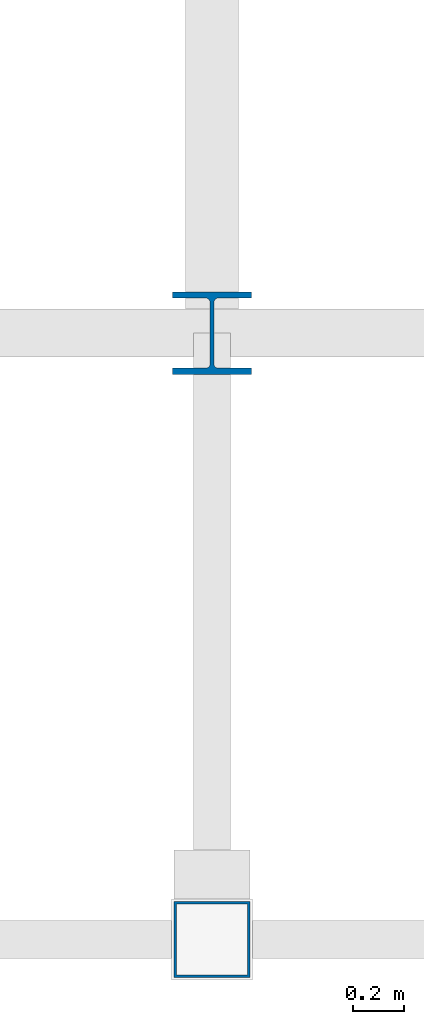
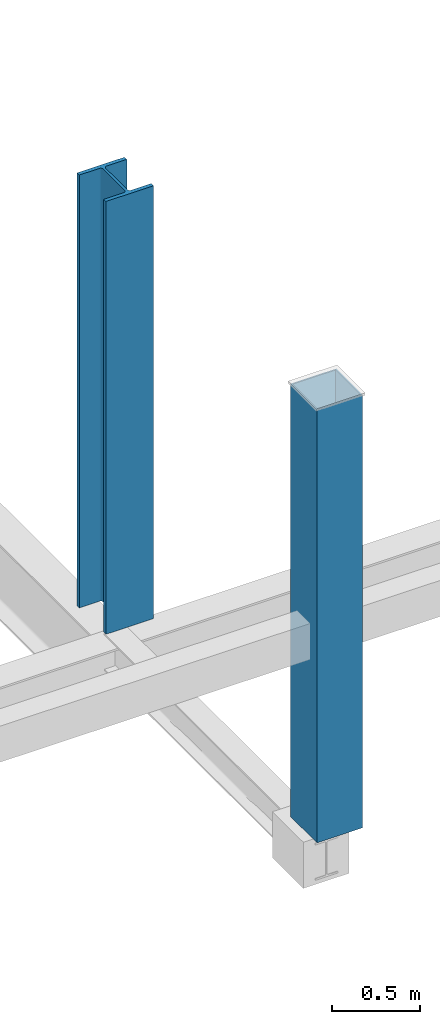
# One storey, part 2 of 16: 2 columns.
"""IFC4 building model written with IfcOpenShell, lengths in metres."""

from ifc_helpers import new_model, si_unit, direction, frame, origin, origin_2d, place, context, subcontext, project, spatial, hollow_rectangle, i_section, extrude, material, material_profile, profile_set, type_object, element, save


model = new_model("IFC4")

# Units and contexts
model_context = context("Model", 3, precision=1e-05, world=origin(), true_north=direction((0.0, 1.0)))
body_context = subcontext(model_context, "Body", "Model", "MODEL_VIEW")
ifc_project = project(units=[si_unit("LENGTHUNIT", "METRE"), si_unit("AREAUNIT", "SQUARE_METRE"), si_unit("VOLUMEUNIT", "CUBIC_METRE"), si_unit("PLANEANGLEUNIT", "RADIAN"), si_unit("MASSUNIT", "GRAM", prefix="KILO"), si_unit("THERMODYNAMICTEMPERATUREUNIT", "KELVIN"), si_unit("POWERUNIT", "WATT")], contexts=[model_context])

# Site, building, storey
site_placement = place(None, origin())
site = spatial("IfcSite", under=ifc_project, at=site_placement, CompositionType="ELEMENT")
building_placement = place(site_placement, origin())
building = spatial("IfcBuilding", under=site, at=building_placement, Name="Tallowbark Science Centre", CompositionType="ELEMENT")
storey_placement = place(building_placement, frame((0.0, 0.0, 23.39990234375)))
storey = spatial("IfcBuildingStorey", under=building, at=storey_placement, Name="L05", CompositionType="ELEMENT", Elevation=23.39990234375)

# Columns
ifc_material_1 = material(Name="White Architectural Painted Steel Grade C350L0 (350 MPa)", Category="steel")
ifc_material_profile_1 = material_profile(ifc_material_1, hollow_rectangle(XDim=0.300048828125, YDim=0.300048828125, WallThickness=0.010009765625, at=origin_2d()), Name="300x300x10.0SHS")
ifc_profile_set_1 = profile_set([ifc_material_profile_1], Name="White Architectural Painted Steel Grade C350L0 (350 MPa)")
column_type_1 = type_object("IfcColumnType", Name="COL-SCR300", PredefinedType="COLUMN", material=ifc_profile_set_1)
column_1_placement = place(storey_placement, frame((85.5, 2.10009765625, 0.0), z_axis=(0.0, 0.0, 1.0), x_axis=(1.0, 0.0, 0.0)))
element("IfcColumn", 1, at=column_1_placement, inside=storey, type_object=column_type_1, Name="Column SCR-S04 L05", PredefinedType="COLUMN", context=body_context, shape_type="SweptSolid", body=[
    extrude(hollow_rectangle(XDim=0.300048828125, YDim=0.300048828125, WallThickness=0.010009765625, at=origin_2d()), origin(), (0.0, 0.0, 1.0), 3.0),
])
ifc_material_2 = material(Name="Structural Steel Grade 300PLUS (300 MPa)", Category="steel")
ifc_material_profile_2 = material_profile(ifc_material_2, i_section(OverallWidth=0.311279296875, OverallDepth=0.3271484375, WebThickness=0.015625, FlangeThickness=0.02490234375, FilletRadius=0.0166015625, at=origin_2d()), Name="310UC158")
ifc_profile_set_2 = profile_set([ifc_material_profile_2], Name="Structural Steel Grade 300PLUS (300 MPa)")
column_type_2 = type_object("IfcColumnType", Name="COL-UC310A", PredefinedType="COLUMN", material=ifc_profile_set_2)
column_2_placement = place(storey_placement, frame((85.5, 4.5, 0.0), z_axis=(0.0, 0.0, 1.0), x_axis=(1.0, 0.0, 0.0)))
element("IfcColumn", 2, at=column_2_placement, inside=storey, type_object=column_type_2, Name="Column CUB-M3_0 L05", PredefinedType="COLUMN", context=body_context, shape_type="SweptSolid", body=[
    extrude(i_section(OverallWidth=0.311279296875, OverallDepth=0.3271484375, WebThickness=0.015625, FlangeThickness=0.02490234375, FilletRadius=0.0166015625, at=origin_2d()), origin(), (0.0, 0.0, 1.0), 3.0),
])

save(model, "model.ifc")
